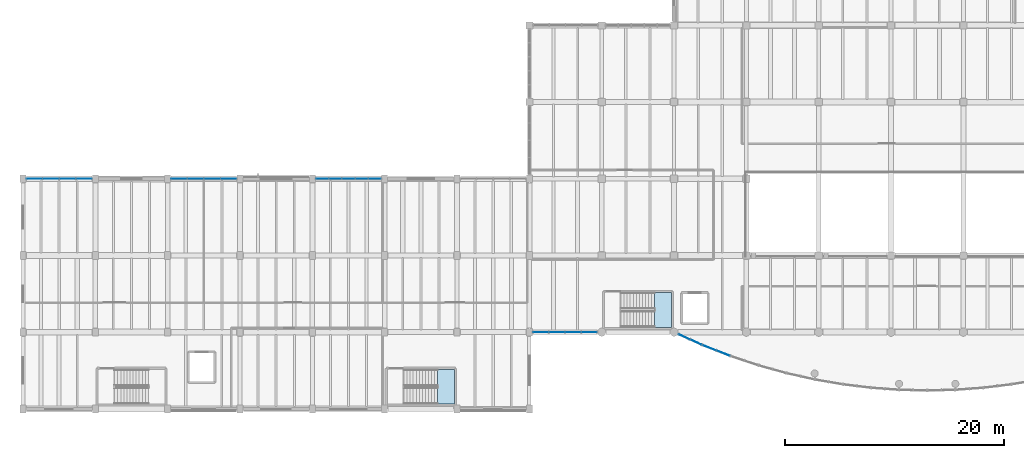
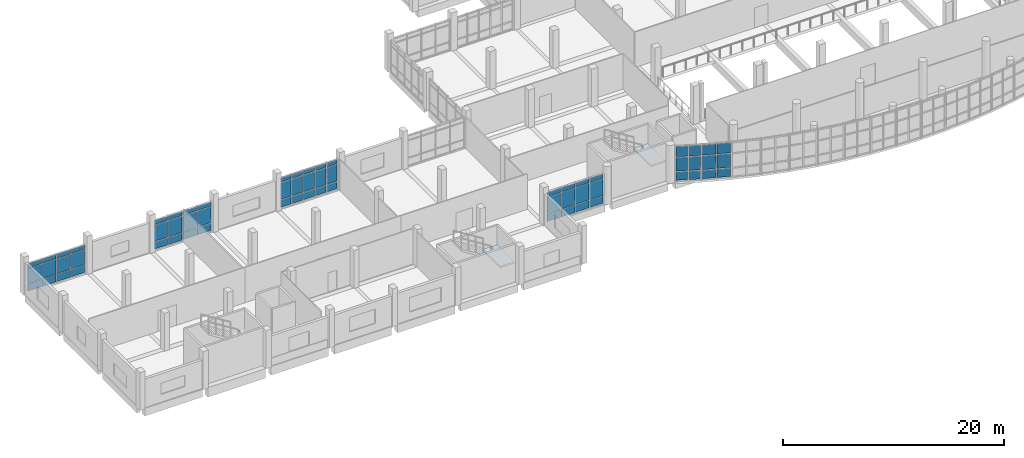
# One storey, part 33 of 68: 63 plates, 2 slabs, 8 elements without a shape of their own.
"""IFC4 building model written with IfcOpenShell, lengths in metres."""

from ifc_helpers import new_model, si_unit, direction, frame, origin, origin_2d, place, context, subcontext, project, spatial, polyline, rectangle, outline, extrude, material, layer, layer_set, type_object, element, aggregate, save


model = new_model("IFC4")

# Units and contexts
model_context = context("Model", 3, precision=1e-05, world=origin(), true_north=direction((0.0, 1.0)))
body_context = subcontext(model_context, "Body", "Model", "MODEL_VIEW")
ifc_project = project(units=[si_unit("LENGTHUNIT", "METRE"), si_unit("AREAUNIT", "SQUARE_METRE"), si_unit("VOLUMEUNIT", "CUBIC_METRE"), si_unit("PLANEANGLEUNIT", "RADIAN"), si_unit("MASSUNIT", "GRAM", prefix="KILO")], contexts=[model_context])

# Site, building, storey
site_placement = place(None, origin())
site = spatial("IfcSite", under=ifc_project, at=site_placement, CompositionType="ELEMENT")
building_placement = place(site_placement, origin())
building = spatial("IfcBuilding", under=site, at=building_placement, Name="Ciguamira Faculty of Natural Sciences", CompositionType="ELEMENT")
storey_placement = place(building_placement, frame((0.0, 0.0, 4.199951171875)))
storey = spatial("IfcBuildingStorey", under=building, at=storey_placement, Name="L01", CompositionType="ELEMENT", Elevation=4.199951171875)

# Curtain wall, plates
ifc_material_1 = material(Name="Anodized aluminium curtain wall", Category="aluminium")
curtain_wall_type_1 = type_object("IfcCurtainWallType", Name="CurtainWall_CW-05", PredefinedType="USERDEFINED", material=ifc_material_1)
curtain_wall_1_placement = place(storey_placement, origin())
curtain_wall_1 = element("IfcCurtainWall", 1, at=curtain_wall_1_placement, inside=storey, type_object=curtain_wall_type_1, Name="L01 unitised curtain wall 0029", ObjectType="UNITISED CURTAIN WALL", PredefinedType="USERDEFINED")
ifc_material_2 = material(Name="Low-E laminated solar glass", Category="glass")
ifc_layer_1 = layer(ifc_material_2, 0.028076171875, Name="Low-E laminated solar glass")
ifc_layer_set_1 = layer_set([ifc_layer_1], Name="Low-E laminated solar glass")
plate_type_1 = type_object("IfcPlateType", Name="CWPanel_CWP-01", PredefinedType="CURTAIN_PANEL", material=ifc_layer_set_1)
plate_1_placement = place(storey_placement, frame((18.748779296875, 24.0, 0.070068359375), z_axis=(0.0, 0.0, 1.0), x_axis=(1.0, 0.0, 0.0)))
plate_1 = element("IfcPlate", 2, at=plate_1_placement, type_object=plate_type_1, Name="CW-05 panel 1.1", PredefinedType="CURTAIN_PANEL", context=body_context, shape_type="SweptSolid", body=[
    extrude(rectangle(XDim=1.407470703125, YDim=0.028076171875, at=origin_2d()), origin(), (0.0, 0.0, 1.0), 0.794921875),
])
plate_2_placement = place(storey_placement, frame((18.748779296875, 24.0, 0.93505859375), z_axis=(0.0, 0.0, 1.0), x_axis=(1.0, 0.0, 0.0)))
plate_2 = element("IfcPlate", 3, at=plate_2_placement, type_object=plate_type_1, Name="CW-05 panel 1.2", PredefinedType="CURTAIN_PANEL", context=body_context, shape_type="SweptSolid", body=[
    extrude(rectangle(XDim=1.407470703125, YDim=0.028076171875, at=origin_2d()), origin(), (0.0, 0.0, 1.0), 1.764892578125),
])
plate_3_placement = place(storey_placement, frame((18.748779296875, 24.0, 2.77001953125), z_axis=(0.0, 0.0, 1.0), x_axis=(1.0, 0.0, 0.0)))
plate_3 = element("IfcPlate", 4, at=plate_3_placement, type_object=plate_type_1, Name="CW-05 panel 1.3", PredefinedType="CURTAIN_PANEL", context=body_context, shape_type="SweptSolid", body=[
    extrude(rectangle(XDim=1.407470703125, YDim=0.028076171875, at=origin_2d()), origin(), (0.0, 0.0, 1.0), 0.445068359375),
])
plate_4_placement = place(storey_placement, frame((20.24365234375, 24.0, 0.070068359375), z_axis=(0.0, 0.0, 1.0), x_axis=(1.0, 0.0, 0.0)))
plate_4 = element("IfcPlate", 5, at=plate_4_placement, type_object=plate_type_1, Name="CW-05 panel 2.1", PredefinedType="CURTAIN_PANEL", context=body_context, shape_type="SweptSolid", body=[
    extrude(rectangle(XDim=1.4423828125, YDim=0.028076171875, at=origin_2d()), origin(), (0.0, 0.0, 1.0), 0.794921875),
])
plate_5_placement = place(storey_placement, frame((20.24365234375, 24.0, 0.93505859375), z_axis=(0.0, 0.0, 1.0), x_axis=(1.0, 0.0, 0.0)))
plate_5 = element("IfcPlate", 6, at=plate_5_placement, type_object=plate_type_1, Name="CW-05 panel 2.2", PredefinedType="CURTAIN_PANEL", context=body_context, shape_type="SweptSolid", body=[
    extrude(rectangle(XDim=1.4423828125, YDim=0.028076171875, at=origin_2d()), origin(), (0.0, 0.0, 1.0), 1.764892578125),
])
plate_6_placement = place(storey_placement, frame((20.24365234375, 24.0, 2.77001953125), z_axis=(0.0, 0.0, 1.0), x_axis=(1.0, 0.0, 0.0)))
plate_6 = element("IfcPlate", 7, at=plate_6_placement, type_object=plate_type_1, Name="CW-05 panel 2.3", PredefinedType="CURTAIN_PANEL", context=body_context, shape_type="SweptSolid", body=[
    extrude(rectangle(XDim=1.4423828125, YDim=0.028076171875, at=origin_2d()), origin(), (0.0, 0.0, 1.0), 0.445068359375),
])
plate_7_placement = place(storey_placement, frame((21.75634765625, 24.0, 0.070068359375), z_axis=(0.0, 0.0, 1.0), x_axis=(1.0, 0.0, 0.0)))
plate_7 = element("IfcPlate", 8, at=plate_7_placement, type_object=plate_type_1, Name="CW-05 panel 3.1", PredefinedType="CURTAIN_PANEL", context=body_context, shape_type="SweptSolid", body=[
    extrude(rectangle(XDim=1.4423828125, YDim=0.028076171875, at=origin_2d()), origin(), (0.0, 0.0, 1.0), 0.794921875),
])
plate_8_placement = place(storey_placement, frame((21.75634765625, 24.0, 0.93505859375), z_axis=(0.0, 0.0, 1.0), x_axis=(1.0, 0.0, 0.0)))
plate_8 = element("IfcPlate", 9, at=plate_8_placement, type_object=plate_type_1, Name="CW-05 panel 3.2", PredefinedType="CURTAIN_PANEL", context=body_context, shape_type="SweptSolid", body=[
    extrude(rectangle(XDim=1.4423828125, YDim=0.028076171875, at=origin_2d()), origin(), (0.0, 0.0, 1.0), 1.764892578125),
])
plate_9_placement = place(storey_placement, frame((21.75634765625, 24.0, 2.77001953125), z_axis=(0.0, 0.0, 1.0), x_axis=(1.0, 0.0, 0.0)))
plate_9 = element("IfcPlate", 10, at=plate_9_placement, type_object=plate_type_1, Name="CW-05 panel 3.3", PredefinedType="CURTAIN_PANEL", context=body_context, shape_type="SweptSolid", body=[
    extrude(rectangle(XDim=1.4423828125, YDim=0.028076171875, at=origin_2d()), origin(), (0.0, 0.0, 1.0), 0.445068359375),
])
plate_10_placement = place(storey_placement, frame((23.251220703125, 24.0, 0.070068359375), z_axis=(0.0, 0.0, 1.0), x_axis=(1.0, 0.0, 0.0)))
plate_10 = element("IfcPlate", 11, at=plate_10_placement, type_object=plate_type_1, Name="CW-05 panel 4.1", PredefinedType="CURTAIN_PANEL", context=body_context, shape_type="SweptSolid", body=[
    extrude(rectangle(XDim=1.407470703125, YDim=0.028076171875, at=origin_2d()), origin(), (0.0, 0.0, 1.0), 0.794921875),
])
plate_11_placement = place(storey_placement, frame((23.251220703125, 24.0, 0.93505859375), z_axis=(0.0, 0.0, 1.0), x_axis=(1.0, 0.0, 0.0)))
plate_11 = element("IfcPlate", 12, at=plate_11_placement, type_object=plate_type_1, Name="CW-05 panel 4.2", PredefinedType="CURTAIN_PANEL", context=body_context, shape_type="SweptSolid", body=[
    extrude(rectangle(XDim=1.407470703125, YDim=0.028076171875, at=origin_2d()), origin(), (0.0, 0.0, 1.0), 1.764892578125),
])
plate_12_placement = place(storey_placement, frame((23.251220703125, 24.0, 2.77001953125), z_axis=(0.0, 0.0, 1.0), x_axis=(1.0, 0.0, 0.0)))
plate_12 = element("IfcPlate", 13, at=plate_12_placement, type_object=plate_type_1, Name="CW-05 panel 4.3", PredefinedType="CURTAIN_PANEL", context=body_context, shape_type="SweptSolid", body=[
    extrude(rectangle(XDim=1.407470703125, YDim=0.028076171875, at=origin_2d()), origin(), (0.0, 0.0, 1.0), 0.445068359375),
])
aggregate(curtain_wall_1, [plate_1, plate_2, plate_3, plate_4, plate_5, plate_6, plate_7, plate_8, plate_9, plate_10, plate_11, plate_12])

curtain_wall_type_2 = type_object("IfcCurtainWallType", Name="CurtainWall_CW-12", PredefinedType="USERDEFINED", material=ifc_material_1)
curtain_wall_2_placement = place(storey_placement, origin())
curtain_wall_2 = element("IfcCurtainWall", 14, at=curtain_wall_2_placement, inside=storey, type_object=curtain_wall_type_2, Name="L01 south gallery curved curtain wall 01", ObjectType="UNITISED CURTAIN WALL", PredefinedType="USERDEFINED")
plate_13_placement = place(storey_placement, frame((64.8466796875, 9.5703125, 0.080078125), z_axis=(0.0, 0.0, 1.0), x_axis=(0.910580503774, -0.41333176281, 0.0)))
plate_13 = element("IfcPlate", 15, at=plate_13_placement, type_object=plate_type_1, Name="CW-12 panel 1.1", PredefinedType="CURTAIN_PANEL", context=body_context, shape_type="SweptSolid", body=[
    extrude(rectangle(XDim=1.079345703125, YDim=0.028076171875, at=origin_2d()), origin(), (0.0, 0.0, 1.0), 0.929931640625),
])
plate_14_placement = place(storey_placement, frame((64.8466796875, 9.5703125, 1.090087890625), z_axis=(0.0, 0.0, 1.0), x_axis=(0.910580503774, -0.41333176281, 0.0)))
plate_14 = element("IfcPlate", 16, at=plate_14_placement, type_object=plate_type_1, Name="CW-12 panel 1.2", PredefinedType="CURTAIN_PANEL", context=body_context, shape_type="SweptSolid", body=[
    extrude(rectangle(XDim=1.079345703125, YDim=0.028076171875, at=origin_2d()), origin(), (0.0, 0.0, 1.0), 1.52001953125),
])
plate_15_placement = place(storey_placement, frame((64.8466796875, 9.5703125, 2.690185546875), z_axis=(0.0, 0.0, 1.0), x_axis=(0.910580503774, -0.41333176281, 0.0)))
plate_15 = element("IfcPlate", 17, at=plate_15_placement, type_object=plate_type_1, Name="CW-12 panel 1.3", PredefinedType="CURTAIN_PANEL", context=body_context, shape_type="SweptSolid", body=[
    extrude(rectangle(XDim=1.079345703125, YDim=0.028076171875, at=origin_2d()), origin(), (0.0, 0.0, 1.0), 1.1298828125),
])
plate_16_placement = place(storey_placement, frame((65.90234375, 9.091064453125, 0.080078125), z_axis=(0.0, 0.0, 1.0), x_axis=(0.910580503774, -0.41333176281, 0.0)))
plate_16 = element("IfcPlate", 18, at=plate_16_placement, type_object=plate_type_1, Name="CW-12 panel 2.1", PredefinedType="CURTAIN_PANEL", context=body_context, shape_type="SweptSolid", body=[
    extrude(rectangle(XDim=1.079345703125, YDim=0.028076171875, at=origin_2d()), origin(), (0.0, 0.0, 1.0), 0.929931640625),
])
plate_17_placement = place(storey_placement, frame((65.90234375, 9.091064453125, 1.090087890625), z_axis=(0.0, 0.0, 1.0), x_axis=(0.910580503774, -0.41333176281, 0.0)))
plate_17 = element("IfcPlate", 19, at=plate_17_placement, type_object=plate_type_1, Name="CW-12 panel 2.2", PredefinedType="CURTAIN_PANEL", context=body_context, shape_type="SweptSolid", body=[
    extrude(rectangle(XDim=1.079345703125, YDim=0.028076171875, at=origin_2d()), origin(), (0.0, 0.0, 1.0), 1.52001953125),
])
plate_18_placement = place(storey_placement, frame((65.90234375, 9.091064453125, 2.690185546875), z_axis=(0.0, 0.0, 1.0), x_axis=(0.910580503774, -0.41333176281, 0.0)))
plate_18 = element("IfcPlate", 20, at=plate_18_placement, type_object=plate_type_1, Name="CW-12 panel 2.3", PredefinedType="CURTAIN_PANEL", context=body_context, shape_type="SweptSolid", body=[
    extrude(rectangle(XDim=1.079345703125, YDim=0.028076171875, at=origin_2d()), origin(), (0.0, 0.0, 1.0), 1.1298828125),
])
aggregate(curtain_wall_2, [plate_13, plate_14, plate_15, plate_16, plate_17, plate_18])

curtain_wall_type_3 = type_object("IfcCurtainWallType", Name="CurtainWall_CW-01", PredefinedType="USERDEFINED", material=ifc_material_1)
curtain_wall_3_placement = place(storey_placement, origin())
curtain_wall_3 = element("IfcCurtainWall", 21, at=curtain_wall_3_placement, inside=storey, type_object=curtain_wall_type_3, Name="L01 south gallery curved curtain wall 02", ObjectType="UNITISED CURTAIN WALL", PredefinedType="USERDEFINED")
plate_19_placement = place(storey_placement, frame((67.126953125, 8.576171875, 0.080078125), z_axis=(0.0, 0.0, 1.0), x_axis=(0.931122296337, -0.36470710065, 0.0)))
plate_19 = element("IfcPlate", 22, at=plate_19_placement, type_object=plate_type_1, Name="CW-01 panel 1.1", PredefinedType="CURTAIN_PANEL", context=body_context, shape_type="SweptSolid", body=[
    extrude(rectangle(XDim=1.25830078125, YDim=0.028076171875, at=origin_2d()), origin(), (0.0, 0.0, 1.0), 0.929931640625),
])
plate_20_placement = place(storey_placement, frame((67.126953125, 8.576171875, 1.090087890625), z_axis=(0.0, 0.0, 1.0), x_axis=(0.931122296337, -0.36470710065, 0.0)))
plate_20 = element("IfcPlate", 23, at=plate_20_placement, type_object=plate_type_1, Name="CW-01 panel 1.2", PredefinedType="CURTAIN_PANEL", context=body_context, shape_type="SweptSolid", body=[
    extrude(rectangle(XDim=1.25830078125, YDim=0.028076171875, at=origin_2d()), origin(), (0.0, 0.0, 1.0), 1.52001953125),
])
plate_21_placement = place(storey_placement, frame((67.126953125, 8.576171875, 2.690185546875), z_axis=(0.0, 0.0, 1.0), x_axis=(0.931122296337, -0.36470710065, 0.0)))
plate_21 = element("IfcPlate", 24, at=plate_21_placement, type_object=plate_type_1, Name="CW-01 panel 1.3", PredefinedType="CURTAIN_PANEL", context=body_context, shape_type="SweptSolid", body=[
    extrude(rectangle(XDim=1.25830078125, YDim=0.028076171875, at=origin_2d()), origin(), (0.0, 0.0, 1.0), 1.1298828125),
])
plate_22_placement = place(storey_placement, frame((68.373046875, 8.088134765625, 0.080078125), z_axis=(0.0, 0.0, 1.0), x_axis=(0.931122296337, -0.36470710065, 0.0)))
plate_22 = element("IfcPlate", 25, at=plate_22_placement, type_object=plate_type_1, Name="CW-01 panel 2.1", PredefinedType="CURTAIN_PANEL", context=body_context, shape_type="SweptSolid", body=[
    extrude(rectangle(XDim=1.25830078125, YDim=0.028076171875, at=origin_2d()), origin(), (0.0, 0.0, 1.0), 0.929931640625),
])
plate_23_placement = place(storey_placement, frame((68.373046875, 8.088134765625, 1.090087890625), z_axis=(0.0, 0.0, 1.0), x_axis=(0.931122296337, -0.36470710065, 0.0)))
plate_23 = element("IfcPlate", 26, at=plate_23_placement, type_object=plate_type_1, Name="CW-01 panel 2.2", PredefinedType="CURTAIN_PANEL", context=body_context, shape_type="SweptSolid", body=[
    extrude(rectangle(XDim=1.25830078125, YDim=0.028076171875, at=origin_2d()), origin(), (0.0, 0.0, 1.0), 1.52001953125),
])
plate_24_placement = place(storey_placement, frame((68.373046875, 8.088134765625, 2.690185546875), z_axis=(0.0, 0.0, 1.0), x_axis=(0.931122296337, -0.36470710065, 0.0)))
plate_24 = element("IfcPlate", 27, at=plate_24_placement, type_object=plate_type_1, Name="CW-01 panel 2.3", PredefinedType="CURTAIN_PANEL", context=body_context, shape_type="SweptSolid", body=[
    extrude(rectangle(XDim=1.25830078125, YDim=0.028076171875, at=origin_2d()), origin(), (0.0, 0.0, 1.0), 1.1298828125),
])
aggregate(curtain_wall_3, [plate_19, plate_20, plate_21, plate_22, plate_23, plate_24])

curtain_wall_type_4 = type_object("IfcCurtainWallType", Name="CurtainWall_CW-02", PredefinedType="USERDEFINED", material=ifc_material_1)
curtain_wall_4_placement = place(storey_placement, origin())
curtain_wall_4 = element("IfcCurtainWall", 28, at=curtain_wall_4_placement, inside=storey, type_object=curtain_wall_type_4, Name="L01 unitised curtain wall 0026", ObjectType="UNITISED CURTAIN WALL", PredefinedType="USERDEFINED")
ifc_layer_2 = layer(ifc_material_2, 0.035888671875, Name="Low-E laminated solar glass")
ifc_layer_set_2 = layer_set([ifc_layer_2], Name="Low-E laminated solar glass")
plate_type_2 = type_object("IfcPlateType", Name="CWPanel_CWP-02", PredefinedType="CURTAIN_PANEL", material=ifc_layer_set_2)
plate_25_placement = place(storey_placement, frame((51.736328125, 10.0, 0.070068359375), z_axis=(0.0, 0.0, 1.0), x_axis=(1.0, 0.0, 0.0)))
plate_25 = element("IfcPlate", 29, at=plate_25_placement, type_object=plate_type_2, Name="CW-02 panel 1.1", PredefinedType="CURTAIN_PANEL", context=body_context, shape_type="SweptSolid", body=[
    extrude(rectangle(XDim=1.382568359375, YDim=0.035888671875, at=origin_2d()), origin(), (0.0, 0.0, 1.0), 0.794921875),
])
plate_26_placement = place(storey_placement, frame((51.736328125, 10.0, 0.93505859375), z_axis=(0.0, 0.0, 1.0), x_axis=(1.0, 0.0, 0.0)))
plate_26 = element("IfcPlate", 30, at=plate_26_placement, type_object=plate_type_2, Name="CW-02 panel 1.2", PredefinedType="CURTAIN_PANEL", context=body_context, shape_type="SweptSolid", body=[
    extrude(rectangle(XDim=1.382568359375, YDim=0.035888671875, at=origin_2d()), origin(), (0.0, 0.0, 1.0), 1.824951171875),
])
plate_27_placement = place(storey_placement, frame((51.736328125, 10.0, 2.830078125), z_axis=(0.0, 0.0, 1.0), x_axis=(1.0, 0.0, 0.0)))
plate_27 = element("IfcPlate", 31, at=plate_27_placement, type_object=plate_type_2, Name="CW-02 panel 1.3", PredefinedType="CURTAIN_PANEL", context=body_context, shape_type="SweptSolid", body=[
    extrude(rectangle(XDim=1.382568359375, YDim=0.035888671875, at=origin_2d()), origin(), (0.0, 0.0, 1.0), 0.445068359375),
])
plate_28_placement = place(storey_placement, frame((53.206298828125, 10.0, 0.070068359375), z_axis=(0.0, 0.0, 1.0), x_axis=(1.0, 0.0, 0.0)))
plate_28 = element("IfcPlate", 32, at=plate_28_placement, type_object=plate_type_2, Name="CW-02 panel 2.1", PredefinedType="CURTAIN_PANEL", context=body_context, shape_type="SweptSolid", body=[
    extrude(rectangle(XDim=1.41748046875, YDim=0.035888671875, at=origin_2d()), origin(), (0.0, 0.0, 1.0), 0.794921875),
])
plate_29_placement = place(storey_placement, frame((53.206298828125, 10.0, 0.93505859375), z_axis=(0.0, 0.0, 1.0), x_axis=(1.0, 0.0, 0.0)))
plate_29 = element("IfcPlate", 33, at=plate_29_placement, type_object=plate_type_2, Name="CW-02 panel 2.2", PredefinedType="CURTAIN_PANEL", context=body_context, shape_type="SweptSolid", body=[
    extrude(rectangle(XDim=1.41748046875, YDim=0.035888671875, at=origin_2d()), origin(), (0.0, 0.0, 1.0), 1.824951171875),
])
plate_30_placement = place(storey_placement, frame((53.206298828125, 10.0, 2.830078125), z_axis=(0.0, 0.0, 1.0), x_axis=(1.0, 0.0, 0.0)))
plate_30 = element("IfcPlate", 34, at=plate_30_placement, type_object=plate_type_2, Name="CW-02 panel 2.3", PredefinedType="CURTAIN_PANEL", context=body_context, shape_type="SweptSolid", body=[
    extrude(rectangle(XDim=1.41748046875, YDim=0.035888671875, at=origin_2d()), origin(), (0.0, 0.0, 1.0), 0.445068359375),
])
plate_31_placement = place(storey_placement, frame((54.69384765625, 10.0, 0.070068359375), z_axis=(0.0, 0.0, 1.0), x_axis=(1.0, 0.0, 0.0)))
plate_31 = element("IfcPlate", 35, at=plate_31_placement, type_object=plate_type_2, Name="CW-02 panel 3.1", PredefinedType="CURTAIN_PANEL", context=body_context, shape_type="SweptSolid", body=[
    extrude(rectangle(XDim=1.41748046875, YDim=0.035888671875, at=origin_2d()), origin(), (0.0, 0.0, 1.0), 0.794921875),
])
plate_32_placement = place(storey_placement, frame((54.69384765625, 10.0, 0.93505859375), z_axis=(0.0, 0.0, 1.0), x_axis=(1.0, 0.0, 0.0)))
plate_32 = element("IfcPlate", 36, at=plate_32_placement, type_object=plate_type_2, Name="CW-02 panel 3.2", PredefinedType="CURTAIN_PANEL", context=body_context, shape_type="SweptSolid", body=[
    extrude(rectangle(XDim=1.41748046875, YDim=0.035888671875, at=origin_2d()), origin(), (0.0, 0.0, 1.0), 1.824951171875),
])
plate_33_placement = place(storey_placement, frame((54.69384765625, 10.0, 2.830078125), z_axis=(0.0, 0.0, 1.0), x_axis=(1.0, 0.0, 0.0)))
plate_33 = element("IfcPlate", 37, at=plate_33_placement, type_object=plate_type_2, Name="CW-02 panel 3.3", PredefinedType="CURTAIN_PANEL", context=body_context, shape_type="SweptSolid", body=[
    extrude(rectangle(XDim=1.41748046875, YDim=0.035888671875, at=origin_2d()), origin(), (0.0, 0.0, 1.0), 0.445068359375),
])
plate_34_placement = place(storey_placement, frame((56.163818359375, 10.0, 0.070068359375), z_axis=(0.0, 0.0, 1.0), x_axis=(1.0, 0.0, 0.0)))
plate_34 = element("IfcPlate", 38, at=plate_34_placement, type_object=plate_type_2, Name="CW-02 panel 4.1", PredefinedType="CURTAIN_PANEL", context=body_context, shape_type="SweptSolid", body=[
    extrude(rectangle(XDim=1.382568359375, YDim=0.035888671875, at=origin_2d()), origin(), (0.0, 0.0, 1.0), 0.794921875),
])
plate_35_placement = place(storey_placement, frame((56.163818359375, 10.0, 0.93505859375), z_axis=(0.0, 0.0, 1.0), x_axis=(1.0, 0.0, 0.0)))
plate_35 = element("IfcPlate", 39, at=plate_35_placement, type_object=plate_type_2, Name="CW-02 panel 4.2", PredefinedType="CURTAIN_PANEL", context=body_context, shape_type="SweptSolid", body=[
    extrude(rectangle(XDim=1.382568359375, YDim=0.035888671875, at=origin_2d()), origin(), (0.0, 0.0, 1.0), 1.824951171875),
])
plate_36_placement = place(storey_placement, frame((56.163818359375, 10.0, 2.830078125), z_axis=(0.0, 0.0, 1.0), x_axis=(1.0, 0.0, 0.0)))
plate_36 = element("IfcPlate", 40, at=plate_36_placement, type_object=plate_type_2, Name="CW-02 panel 4.3", PredefinedType="CURTAIN_PANEL", context=body_context, shape_type="SweptSolid", body=[
    extrude(rectangle(XDim=1.382568359375, YDim=0.035888671875, at=origin_2d()), origin(), (0.0, 0.0, 1.0), 0.445068359375),
])
aggregate(curtain_wall_4, [plate_25, plate_26, plate_27, plate_28, plate_29, plate_30, plate_31, plate_32, plate_33, plate_34, plate_35, plate_36])

curtain_wall_type_5 = type_object("IfcCurtainWallType", Name="CurtainWall_CW-04", PredefinedType="USERDEFINED", material=ifc_material_1)
curtain_wall_5_placement = place(storey_placement, origin())
curtain_wall_5 = element("IfcCurtainWall", 41, at=curtain_wall_5_placement, inside=storey, type_object=curtain_wall_type_5, Name="L01 unitised curtain wall 0028", ObjectType="UNITISED CURTAIN WALL", PredefinedType="USERDEFINED")
plate_37_placement = place(storey_placement, frame((5.546142578125, 24.0, 0.06005859375), z_axis=(0.0, 0.0, 1.0), x_axis=(1.0, 0.0, 0.0)))
plate_37 = element("IfcPlate", 42, at=plate_37_placement, type_object=plate_type_2, Name="CW-04 panel 1.1", PredefinedType="CURTAIN_PANEL", context=body_context, shape_type="SweptSolid", body=[
    extrude(rectangle(XDim=1.422607421875, YDim=0.035888671875, at=origin_2d()), origin(), (0.0, 0.0, 1.0), 0.81005859375),
])
plate_38_placement = place(storey_placement, frame((5.546142578125, 24.0, 0.929931640625), z_axis=(0.0, 0.0, 1.0), x_axis=(1.0, 0.0, 0.0)))
plate_38 = element("IfcPlate", 43, at=plate_38_placement, type_object=plate_type_2, Name="CW-04 panel 1.2", PredefinedType="CURTAIN_PANEL", context=body_context, shape_type="SweptSolid", body=[
    extrude(rectangle(XDim=1.422607421875, YDim=0.035888671875, at=origin_2d()), origin(), (0.0, 0.0, 1.0), 1.625),
])
plate_39_placement = place(storey_placement, frame((5.546142578125, 24.0, 2.614990234375), z_axis=(0.0, 0.0, 1.0), x_axis=(1.0, 0.0, 0.0)))
plate_39 = element("IfcPlate", 44, at=plate_39_placement, type_object=plate_type_2, Name="CW-04 panel 1.3", PredefinedType="CURTAIN_PANEL", context=body_context, shape_type="SweptSolid", body=[
    extrude(rectangle(XDim=1.422607421875, YDim=0.035888671875, at=origin_2d()), origin(), (0.0, 0.0, 1.0), 0.4599609375),
])
plate_40_placement = place(storey_placement, frame((7.043701171875, 24.0, 0.06005859375), z_axis=(0.0, 0.0, 1.0), x_axis=(1.0, 0.0, 0.0)))
plate_40 = element("IfcPlate", 45, at=plate_40_placement, type_object=plate_type_2, Name="CW-04 panel 2.1", PredefinedType="CURTAIN_PANEL", context=body_context, shape_type="SweptSolid", body=[
    extrude(rectangle(XDim=1.452392578125, YDim=0.035888671875, at=origin_2d()), origin(), (0.0, 0.0, 1.0), 0.81005859375),
])
plate_41_placement = place(storey_placement, frame((7.043701171875, 24.0, 0.929931640625), z_axis=(0.0, 0.0, 1.0), x_axis=(1.0, 0.0, 0.0)))
plate_41 = element("IfcPlate", 46, at=plate_41_placement, type_object=plate_type_2, Name="CW-04 panel 2.2", PredefinedType="CURTAIN_PANEL", context=body_context, shape_type="SweptSolid", body=[
    extrude(rectangle(XDim=1.452392578125, YDim=0.035888671875, at=origin_2d()), origin(), (0.0, 0.0, 1.0), 1.625),
])
plate_42_placement = place(storey_placement, frame((7.043701171875, 24.0, 2.614990234375), z_axis=(0.0, 0.0, 1.0), x_axis=(1.0, 0.0, 0.0)))
plate_42 = element("IfcPlate", 47, at=plate_42_placement, type_object=plate_type_2, Name="CW-04 panel 2.3", PredefinedType="CURTAIN_PANEL", context=body_context, shape_type="SweptSolid", body=[
    extrude(rectangle(XDim=1.452392578125, YDim=0.035888671875, at=origin_2d()), origin(), (0.0, 0.0, 1.0), 0.4599609375),
])
plate_43_placement = place(storey_placement, frame((8.55615234375, 24.0, 0.06005859375), z_axis=(0.0, 0.0, 1.0), x_axis=(1.0, 0.0, 0.0)))
plate_43 = element("IfcPlate", 48, at=plate_43_placement, type_object=plate_type_2, Name="CW-04 panel 3.1", PredefinedType="CURTAIN_PANEL", context=body_context, shape_type="SweptSolid", body=[
    extrude(rectangle(XDim=1.452392578125, YDim=0.035888671875, at=origin_2d()), origin(), (0.0, 0.0, 1.0), 0.81005859375),
])
plate_44_placement = place(storey_placement, frame((8.55615234375, 24.0, 0.929931640625), z_axis=(0.0, 0.0, 1.0), x_axis=(1.0, 0.0, 0.0)))
plate_44 = element("IfcPlate", 49, at=plate_44_placement, type_object=plate_type_2, Name="CW-04 panel 3.2", PredefinedType="CURTAIN_PANEL", context=body_context, shape_type="SweptSolid", body=[
    extrude(rectangle(XDim=1.452392578125, YDim=0.035888671875, at=origin_2d()), origin(), (0.0, 0.0, 1.0), 1.625),
])
plate_45_placement = place(storey_placement, frame((8.55615234375, 24.0, 2.614990234375), z_axis=(0.0, 0.0, 1.0), x_axis=(1.0, 0.0, 0.0)))
plate_45 = element("IfcPlate", 50, at=plate_45_placement, type_object=plate_type_2, Name="CW-04 panel 3.3", PredefinedType="CURTAIN_PANEL", context=body_context, shape_type="SweptSolid", body=[
    extrude(rectangle(XDim=1.452392578125, YDim=0.035888671875, at=origin_2d()), origin(), (0.0, 0.0, 1.0), 0.4599609375),
])
plate_46_placement = place(storey_placement, frame((10.0537109375, 24.0, 0.06005859375), z_axis=(0.0, 0.0, 1.0), x_axis=(1.0, 0.0, 0.0)))
plate_46 = element("IfcPlate", 51, at=plate_46_placement, type_object=plate_type_2, Name="CW-04 panel 4.1", PredefinedType="CURTAIN_PANEL", context=body_context, shape_type="SweptSolid", body=[
    extrude(rectangle(XDim=1.422607421875, YDim=0.035888671875, at=origin_2d()), origin(), (0.0, 0.0, 1.0), 0.81005859375),
])
plate_47_placement = place(storey_placement, frame((10.0537109375, 24.0, 0.929931640625), z_axis=(0.0, 0.0, 1.0), x_axis=(1.0, 0.0, 0.0)))
plate_47 = element("IfcPlate", 52, at=plate_47_placement, type_object=plate_type_2, Name="CW-04 panel 4.2", PredefinedType="CURTAIN_PANEL", context=body_context, shape_type="SweptSolid", body=[
    extrude(rectangle(XDim=1.422607421875, YDim=0.035888671875, at=origin_2d()), origin(), (0.0, 0.0, 1.0), 1.625),
])
plate_48_placement = place(storey_placement, frame((10.0537109375, 24.0, 2.614990234375), z_axis=(0.0, 0.0, 1.0), x_axis=(1.0, 0.0, 0.0)))
plate_48 = element("IfcPlate", 53, at=plate_48_placement, type_object=plate_type_2, Name="CW-04 panel 4.3", PredefinedType="CURTAIN_PANEL", context=body_context, shape_type="SweptSolid", body=[
    extrude(rectangle(XDim=1.422607421875, YDim=0.035888671875, at=origin_2d()), origin(), (0.0, 0.0, 1.0), 0.4599609375),
])
aggregate(curtain_wall_5, [plate_37, plate_38, plate_39, plate_40, plate_41, plate_42, plate_43, plate_44, plate_45, plate_46, plate_47, plate_48])

curtain_wall_type_6 = type_object("IfcCurtainWallType", Name="CurtainWall_CW-06", PredefinedType="USERDEFINED", material=ifc_material_1)
curtain_wall_6_placement = place(storey_placement, origin())
curtain_wall_6 = element("IfcCurtainWall", 54, at=curtain_wall_6_placement, inside=storey, type_object=curtain_wall_type_6, Name="L01 unitised curtain wall 0030", ObjectType="UNITISED CURTAIN WALL", PredefinedType="USERDEFINED")
plate_49_placement = place(storey_placement, frame((31.800048828125, 24.0, 0.080078125), z_axis=(0.0, 0.0, 1.0), x_axis=(1.0, 0.0, 0.0)))
plate_49 = element("IfcPlate", 55, at=plate_49_placement, type_object=plate_type_2, Name="CW-06 panel 1.1", PredefinedType="CURTAIN_PANEL", context=body_context, shape_type="SweptSolid", body=[
    extrude(rectangle(XDim=1.090087890625, YDim=0.035888671875, at=origin_2d()), origin(), (0.0, 0.0, 1.0), 0.780029296875),
])
plate_50_placement = place(storey_placement, frame((31.800048828125, 24.0, 0.940185546875), z_axis=(0.0, 0.0, 1.0), x_axis=(1.0, 0.0, 0.0)))
plate_50 = element("IfcPlate", 56, at=plate_50_placement, type_object=plate_type_2, Name="CW-06 panel 1.2", PredefinedType="CURTAIN_PANEL", context=body_context, shape_type="SweptSolid", body=[
    extrude(rectangle(XDim=1.090087890625, YDim=0.035888671875, at=origin_2d()), origin(), (0.0, 0.0, 1.0), 1.8349609375),
])
plate_51_placement = place(storey_placement, frame((31.800048828125, 24.0, 2.85498046875), z_axis=(0.0, 0.0, 1.0), x_axis=(1.0, 0.0, 0.0)))
plate_51 = element("IfcPlate", 57, at=plate_51_placement, type_object=plate_type_2, Name="CW-06 panel 1.3", PredefinedType="CURTAIN_PANEL", context=body_context, shape_type="SweptSolid", body=[
    extrude(rectangle(XDim=1.090087890625, YDim=0.035888671875, at=origin_2d()), origin(), (0.0, 0.0, 1.0), 0.429931640625),
])
plate_52_placement = place(storey_placement, frame((32.989990234375, 24.0, 0.080078125), z_axis=(0.0, 0.0, 1.0), x_axis=(1.0, 0.0, 0.0)))
plate_52 = element("IfcPlate", 58, at=plate_52_placement, type_object=plate_type_2, Name="CW-06 panel 2.1", PredefinedType="CURTAIN_PANEL", context=body_context, shape_type="SweptSolid", body=[
    extrude(rectangle(XDim=1.1298828125, YDim=0.035888671875, at=origin_2d()), origin(), (0.0, 0.0, 1.0), 0.780029296875),
])
plate_53_placement = place(storey_placement, frame((32.989990234375, 24.0, 0.940185546875), z_axis=(0.0, 0.0, 1.0), x_axis=(1.0, 0.0, 0.0)))
plate_53 = element("IfcPlate", 59, at=plate_53_placement, type_object=plate_type_2, Name="CW-06 panel 2.2", PredefinedType="CURTAIN_PANEL", context=body_context, shape_type="SweptSolid", body=[
    extrude(rectangle(XDim=1.1298828125, YDim=0.035888671875, at=origin_2d()), origin(), (0.0, 0.0, 1.0), 1.8349609375),
])
plate_54_placement = place(storey_placement, frame((32.989990234375, 24.0, 2.85498046875), z_axis=(0.0, 0.0, 1.0), x_axis=(1.0, 0.0, 0.0)))
plate_54 = element("IfcPlate", 60, at=plate_54_placement, type_object=plate_type_2, Name="CW-06 panel 2.3", PredefinedType="CURTAIN_PANEL", context=body_context, shape_type="SweptSolid", body=[
    extrude(rectangle(XDim=1.1298828125, YDim=0.035888671875, at=origin_2d()), origin(), (0.0, 0.0, 1.0), 0.429931640625),
])
plate_55_placement = place(storey_placement, frame((34.199951171875, 24.0, 0.080078125), z_axis=(0.0, 0.0, 1.0), x_axis=(1.0, 0.0, 0.0)))
plate_55 = element("IfcPlate", 61, at=plate_55_placement, type_object=plate_type_2, Name="CW-06 panel 3.1", PredefinedType="CURTAIN_PANEL", context=body_context, shape_type="SweptSolid", body=[
    extrude(rectangle(XDim=1.1298828125, YDim=0.035888671875, at=origin_2d()), origin(), (0.0, 0.0, 1.0), 0.780029296875),
])
plate_56_placement = place(storey_placement, frame((34.199951171875, 24.0, 0.940185546875), z_axis=(0.0, 0.0, 1.0), x_axis=(1.0, 0.0, 0.0)))
plate_56 = element("IfcPlate", 62, at=plate_56_placement, type_object=plate_type_2, Name="CW-06 panel 3.2", PredefinedType="CURTAIN_PANEL", context=body_context, shape_type="SweptSolid", body=[
    extrude(rectangle(XDim=1.1298828125, YDim=0.035888671875, at=origin_2d()), origin(), (0.0, 0.0, 1.0), 1.8349609375),
])
plate_57_placement = place(storey_placement, frame((34.199951171875, 24.0, 2.85498046875), z_axis=(0.0, 0.0, 1.0), x_axis=(1.0, 0.0, 0.0)))
plate_57 = element("IfcPlate", 63, at=plate_57_placement, type_object=plate_type_2, Name="CW-06 panel 3.3", PredefinedType="CURTAIN_PANEL", context=body_context, shape_type="SweptSolid", body=[
    extrude(rectangle(XDim=1.1298828125, YDim=0.035888671875, at=origin_2d()), origin(), (0.0, 0.0, 1.0), 0.429931640625),
])
plate_58_placement = place(storey_placement, frame((35.409912109375, 24.0, 0.080078125), z_axis=(0.0, 0.0, 1.0), x_axis=(1.0, 0.0, 0.0)))
plate_58 = element("IfcPlate", 64, at=plate_58_placement, type_object=plate_type_2, Name="CW-06 panel 4.1", PredefinedType="CURTAIN_PANEL", context=body_context, shape_type="SweptSolid", body=[
    extrude(rectangle(XDim=1.1298828125, YDim=0.035888671875, at=origin_2d()), origin(), (0.0, 0.0, 1.0), 0.780029296875),
])
plate_59_placement = place(storey_placement, frame((35.409912109375, 24.0, 0.940185546875), z_axis=(0.0, 0.0, 1.0), x_axis=(1.0, 0.0, 0.0)))
plate_59 = element("IfcPlate", 65, at=plate_59_placement, type_object=plate_type_2, Name="CW-06 panel 4.2", PredefinedType="CURTAIN_PANEL", context=body_context, shape_type="SweptSolid", body=[
    extrude(rectangle(XDim=1.1298828125, YDim=0.035888671875, at=origin_2d()), origin(), (0.0, 0.0, 1.0), 1.8349609375),
])
plate_60_placement = place(storey_placement, frame((35.409912109375, 24.0, 2.85498046875), z_axis=(0.0, 0.0, 1.0), x_axis=(1.0, 0.0, 0.0)))
plate_60 = element("IfcPlate", 66, at=plate_60_placement, type_object=plate_type_2, Name="CW-06 panel 4.3", PredefinedType="CURTAIN_PANEL", context=body_context, shape_type="SweptSolid", body=[
    extrude(rectangle(XDim=1.1298828125, YDim=0.035888671875, at=origin_2d()), origin(), (0.0, 0.0, 1.0), 0.429931640625),
])
plate_61_placement = place(storey_placement, frame((36.60009765625, 24.0, 0.080078125), z_axis=(0.0, 0.0, 1.0), x_axis=(1.0, 0.0, 0.0)))
plate_61 = element("IfcPlate", 67, at=plate_61_placement, type_object=plate_type_2, Name="CW-06 panel 5.1", PredefinedType="CURTAIN_PANEL", context=body_context, shape_type="SweptSolid", body=[
    extrude(rectangle(XDim=1.090087890625, YDim=0.035888671875, at=origin_2d()), origin(), (0.0, 0.0, 1.0), 0.780029296875),
])
plate_62_placement = place(storey_placement, frame((36.60009765625, 24.0, 0.940185546875), z_axis=(0.0, 0.0, 1.0), x_axis=(1.0, 0.0, 0.0)))
plate_62 = element("IfcPlate", 68, at=plate_62_placement, type_object=plate_type_2, Name="CW-06 panel 5.2", PredefinedType="CURTAIN_PANEL", context=body_context, shape_type="SweptSolid", body=[
    extrude(rectangle(XDim=1.090087890625, YDim=0.035888671875, at=origin_2d()), origin(), (0.0, 0.0, 1.0), 1.8349609375),
])
plate_63_placement = place(storey_placement, frame((36.60009765625, 24.0, 2.85498046875), z_axis=(0.0, 0.0, 1.0), x_axis=(1.0, 0.0, 0.0)))
plate_63 = element("IfcPlate", 69, at=plate_63_placement, type_object=plate_type_2, Name="CW-06 panel 5.3", PredefinedType="CURTAIN_PANEL", context=body_context, shape_type="SweptSolid", body=[
    extrude(rectangle(XDim=1.090087890625, YDim=0.035888671875, at=origin_2d()), origin(), (0.0, 0.0, 1.0), 0.429931640625),
])
aggregate(curtain_wall_6, [plate_49, plate_50, plate_51, plate_52, plate_53, plate_54, plate_55, plate_56, plate_57, plate_58, plate_59, plate_60, plate_61, plate_62, plate_63])

# Stair, slab
ifc_material_3 = material(Name="Concrete C40/50", Category="concrete")
stair_type_1 = type_object("IfcStairType", Name="Stair_STR-01", PredefinedType="HALF_TURN_STAIR", material=ifc_material_3)
stair_1_placement = place(storey_placement, origin())
stair_1 = element("IfcStair", 70, at=stair_1_placement, inside=storey, type_object=stair_type_1, Name="L01 Atrium West Exit Stair", PredefinedType="HALF_TURN_STAIR")
ifc_layer_3 = layer(ifc_material_3, 0.199951171875, Name="Concrete C40/50")
ifc_layer_set_3 = layer_set([ifc_layer_3], Name="Concrete C40/50")
slab_type = type_object("IfcSlabType", Name="StairLanding_SLD01", PredefinedType="LANDING", material=ifc_layer_set_3)
slab_1_placement = place(storey_placement, frame((0.0, 0.0, 1.900146484375)))
slab_1 = element("IfcSlab", 71, at=slab_1_placement, type_object=slab_type, Name="ST-A1 landing 1", PredefinedType="LANDING", context=body_context, shape_type="SweptSolid", body=[
    extrude(outline(polyline([(62.139892578125, 10.449951171875), (63.64990234375, 10.449951171875), (63.64990234375, 13.610107421875), (62.139892578125, 13.610107421875), (62.139892578125, 10.449951171875)])), origin(), (0.0, 0.0, 1.0), 0.199951171875),
])
aggregate(stair_1, [slab_1])

stair_type_2 = type_object("IfcStairType", Name="Stair_STR-02", PredefinedType="HALF_TURN_STAIR", material=ifc_material_3)
stair_2_placement = place(storey_placement, origin())
stair_2 = element("IfcStair", 72, at=stair_2_placement, inside=storey, type_object=stair_type_2, Name="L01 Commons East Exit Stair", PredefinedType="HALF_TURN_STAIR")
slab_2_placement = place(storey_placement, frame((0.0, 0.0, 1.900146484375)))
slab_2 = element("IfcSlab", 73, at=slab_2_placement, type_object=slab_type, Name="ST-C2 landing 1", PredefinedType="LANDING", context=body_context, shape_type="SweptSolid", body=[
    extrude(outline(polyline([(42.340087890625, 3.449951171875), (43.85009765625, 3.449951171875), (43.85009765625, 6.610107421875), (42.340087890625, 6.610107421875), (42.340087890625, 3.449951171875)])), origin(), (0.0, 0.0, 1.0), 0.199951171875),
])
aggregate(stair_2, [slab_2])

save(model, "model.ifc")
